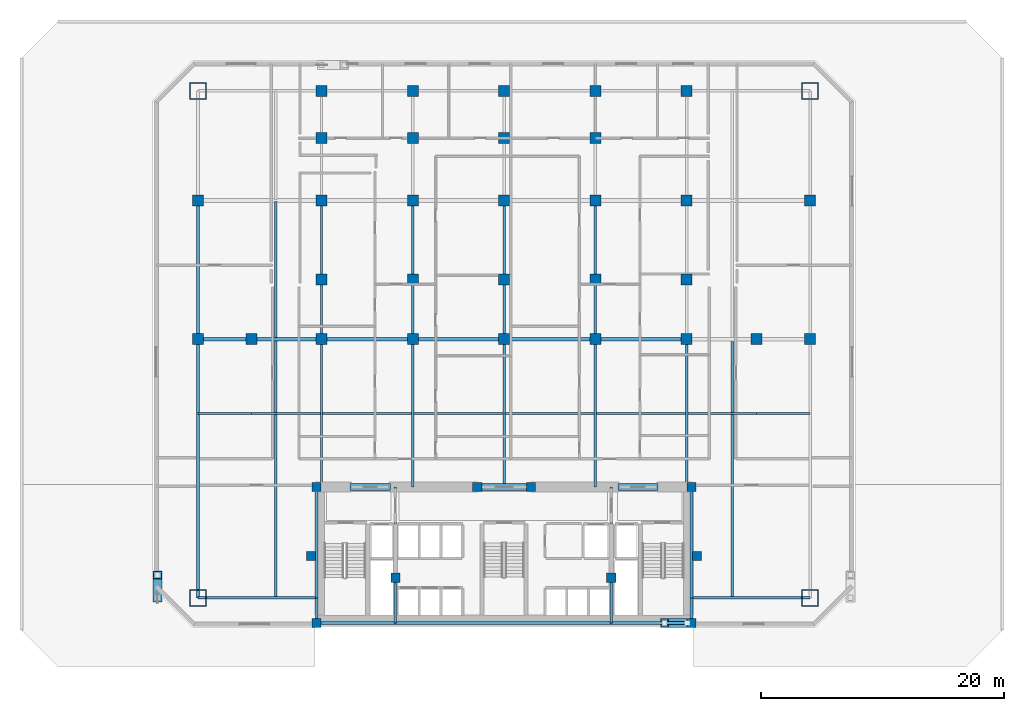
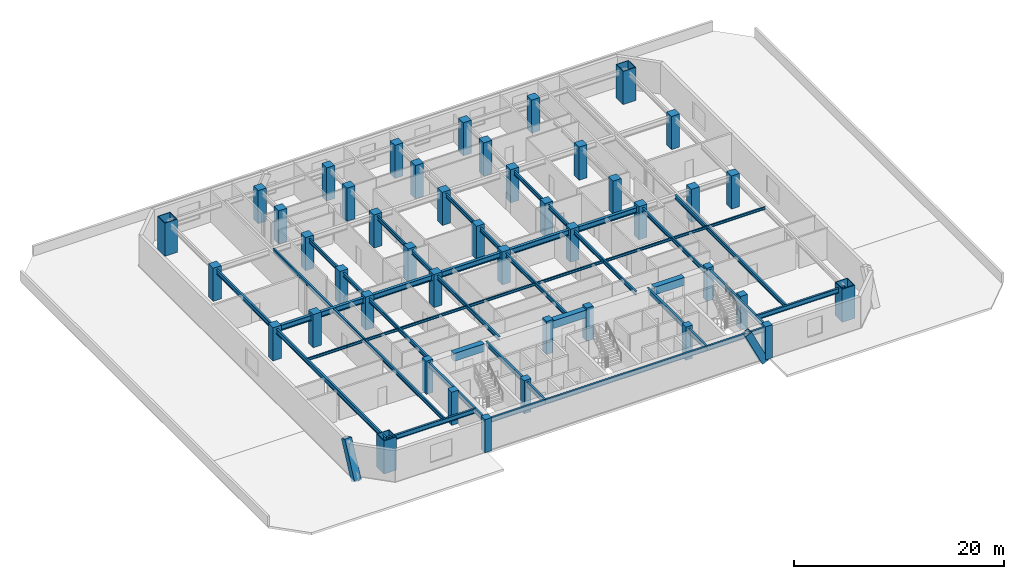
# One storey, part 1 of 11: 44 beams, 44 columns, 2 members.
"""IFC4 building model written with IfcOpenShell, lengths in metres."""

import ifcopenshell
import ifcopenshell.guid

model = None  # the IFC model being written
_history = None  # IfcOwnerHistory: only IFC2X3 demands one
_inside = {}  # id of a spatial element -> (the spatial element, [elements in it])
_under = {}  # id of a project, library or spatial element -> (it, [spatial elements below it])
_declared = {}  # id of a project -> (the project, [libraries it declares])
_typed = {}  # id of a type object -> (the type object, [elements of that type])
_made_of = {}  # id of a material, layer set ... -> (it, [elements and type objects made of it])


def new_model(schema):
    """Start an empty IFC model of exactly this schema.

    Asked for "IFC4X3", IfcOpenShell would pick the latest addendum, in which some entities
    have other attributes; the version numbers below select the first issue.
    IFC2X3 requires an IfcOwnerHistory on every rooted entity: one is made here for all.
    """
    global model, _history
    if schema == "IFC4X3":
        model = ifcopenshell.file(schema_version=(4, 3, 0, 0))
    else:
        model = ifcopenshell.file(schema=schema)
    _inside.clear()
    _under.clear()
    _declared.clear()
    _typed.clear()
    _made_of.clear()
    _history = None
    if model.schema == "IFC2X3":
        org = make("IfcOrganization", Name="unknown")
        user = make(
            "IfcPersonAndOrganization",
            ThePerson=make("IfcPerson", FamilyName="unknown"),
            TheOrganization=org,
        )
        app = make(
            "IfcApplication",
            ApplicationDeveloper=org,
            Version="unknown",
            ApplicationFullName="unknown",
            ApplicationIdentifier="unknown",
        )
        _history = make(
            "IfcOwnerHistory",
            OwningUser=user,
            OwningApplication=app,
            ChangeAction="ADDED",
            CreationDate=0,
        )
    return model


def make(cls, **values):
    """One entity of the class cls with the attributes given. An attribute that is None is left unset."""
    return model.create_entity(
        cls, **{name: value for name, value in values.items() if value is not None}
    )


def rooted(cls, **values):
    """An entity with a GlobalId (a new one), such as an element, a storey or a relation."""
    return make(cls, GlobalId=ifcopenshell.guid.new(), OwnerHistory=_history, **values)


def si_unit(unit_type, name, prefix=None):
    """IfcSIUnit, for example si_unit("LENGTHUNIT", "METRE", prefix="MILLI")."""
    return make("IfcSIUnit", UnitType=unit_type, Prefix=prefix, Name=name)


def assignment(units):
    """IfcUnitAssignment: the units of a project."""
    return None if units is None else make("IfcUnitAssignment", Units=units)


def point(xyz):
    """IfcCartesianPoint."""
    return None if xyz is None else make("IfcCartesianPoint", Coordinates=xyz)


def direction(xyz):
    """IfcDirection."""
    return None if xyz is None else make("IfcDirection", DirectionRatios=xyz)


def frame(location, z_axis=None, x_axis=None):
    """IfcAxis2Placement3D, a coordinate frame: its origin and axes. An axis left out is left unset."""
    return make(
        "IfcAxis2Placement3D",
        Location=point(location),
        Axis=direction(z_axis),
        RefDirection=direction(x_axis),
    )


def frame_2d(location, x_axis=None):
    """IfcAxis2Placement2D, a coordinate frame in the plane: its origin and x axis."""
    return make(
        "IfcAxis2Placement2D", Location=point(location), RefDirection=direction(x_axis)
    )


def origin():
    """The frame at (0, 0, 0) with its axes left unset."""
    return frame((0.0, 0.0, 0.0))


def origin_2d():
    """The frame at (0, 0) in the plane with its x axis left unset."""
    return frame_2d((0.0, 0.0))


def place(relative_to, where):
    """IfcLocalPlacement: puts the frame where relative to a parent placement (None: the world)."""
    return make(
        "IfcLocalPlacement", PlacementRelTo=relative_to, RelativePlacement=where
    )


def context(
    kind, dimensions, precision=None, world=None, true_north=None, identifier=None
):
    """IfcGeometricRepresentationContext, for example the 3D "Model" context."""
    return make(
        "IfcGeometricRepresentationContext",
        ContextIdentifier=identifier,
        ContextType=kind,
        CoordinateSpaceDimension=dimensions,
        Precision=precision,
        WorldCoordinateSystem=world,
        TrueNorth=true_north,
    )


def subcontext(parent, identifier, kind, view, scale=None):
    """IfcGeometricRepresentationSubContext, for example "Body" below "Model"."""
    return make(
        "IfcGeometricRepresentationSubContext",
        ContextIdentifier=identifier,
        ContextType=kind,
        ParentContext=parent,
        TargetScale=scale,
        TargetView=view,
    )


def project(units=None, contexts=None):
    """IfcProject with its units and contexts."""
    return rooted(
        "IfcProject",
        Name="project",
        RepresentationContexts=contexts,
        UnitsInContext=assignment(units),
    )


def spatial(cls, under=None, at=None, **own):
    """A site, building, storey or space (cls), placed at a placement, below another one or the project."""
    s = rooted(cls, ObjectPlacement=at, **own)
    if under is not None:
        _under.setdefault(under.id(), (under, []))[1].append(s)
    return s


def profile(cls, at=None, kind="AREA", **sizes):
    """A parametric profile (cls). Its sizes go by their IFC names, for example OverallWidth=200.0."""
    return make(cls, ProfileType=kind, Position=at, **sizes)


def rectangle(**sizes):
    """IfcRectangleProfileDef."""
    return profile("IfcRectangleProfileDef", **sizes)


def hollow_rectangle(**sizes):
    """IfcRectangleHollowProfileDef."""
    return profile("IfcRectangleHollowProfileDef", **sizes)


def i_section(**sizes):
    """IfcIShapeProfileDef."""
    return profile("IfcIShapeProfileDef", **sizes)


def extrude(swept, where, along, depth):
    """IfcExtrudedAreaSolid: the profile swept, set in the frame where, extruded along a direction by depth."""
    return make(
        "IfcExtrudedAreaSolid",
        SweptArea=swept,
        Position=where,
        ExtrudedDirection=direction(along),
        Depth=depth,
    )


def shape(context_of_items, identifier, shape_type, items):
    """IfcShapeRepresentation: the items that make up one representation, for example the "Body"."""
    return make(
        "IfcShapeRepresentation",
        ContextOfItems=context_of_items,
        RepresentationIdentifier=identifier,
        RepresentationType=shape_type,
        Items=items,
    )


def material(Name=None, Category=None):
    """IfcMaterial."""
    return make("IfcMaterial", Name=Name, Category=Category)


def material_profile(
    of_material, cross_section, Name=None, Category=None, Priority=None
):
    """IfcMaterialProfile: a cross section and its material."""
    return make(
        "IfcMaterialProfile",
        Name=Name,
        Material=of_material,
        Profile=cross_section,
        Priority=Priority,
        Category=Category,
    )


def profile_set(profiles, Name=None, composite=None):
    """IfcMaterialProfileSet."""
    return make(
        "IfcMaterialProfileSet",
        Name=Name,
        MaterialProfiles=profiles,
        CompositeProfile=composite,
    )


def made_of(thing, what):
    """Note that an element or type object is made of a material, layer set ...; save() writes the relation."""
    if what is not None:
        _made_of.setdefault(what.id(), (what, []))[1].append(thing)
    return thing


def type_object(cls, material=None, **own):
    """A type object (cls), such as IfcWallType, which elements share."""
    return made_of(rooted(cls, **own), material)


def element(
    cls,
    number,
    at=None,
    inside=None,
    cuts=None,
    type_object=None,
    material=None,
    context=None,
    identifier="Body",
    shape_type=None,
    held_by="IfcProductDefinitionShape",
    body=None,
    shapes=None,
    **own,
):
    """One element of the class cls, such as IfcWall. Its Tag is "e" and its number.

    at: its placement. inside: the storey or other place that contains it. cuts: it is an
    opening in that element (IfcRelVoidsElement). A single representation is given by context,
    identifier, shape_type and body (its items); several are given by shapes. held_by: the class
    of the entity that holds the representations. save() writes the other relations.
    """
    e = rooted(cls, Tag="e%d" % number, ObjectPlacement=at, **own)
    if body is not None:
        shapes = [shape(context, identifier, shape_type, body)]
    if shapes is not None:
        e.Representation = make(held_by, Representations=shapes)
    if inside is not None:
        _inside.setdefault(inside.id(), (inside, []))[1].append(e)
    if cuts is not None:
        rooted(
            "IfcRelVoidsElement", RelatingBuildingElement=cuts, RelatedOpeningElement=e
        )
    if type_object is not None:
        _typed.setdefault(type_object.id(), (type_object, []))[1].append(e)
    return made_of(e, material)


def aggregate(whole, parts):
    """IfcRelAggregates: a whole, such as a stair, and the parts it consists of."""
    return rooted("IfcRelAggregates", RelatingObject=whole, RelatedObjects=parts)


def save(model, path):
    """Write the relations noted so far, then the file.

    IfcRelAggregates (storeys below a building ...), IfcRelContainedInSpatialStructure (elements
    in a storey), IfcRelDefinesByType, IfcRelAssociatesMaterial and IfcRelDeclares: one each for
    every whole, place, type object, material and project.
    """
    for whole, parts in _under.values():
        aggregate(whole, parts)
    for where, things in _inside.values():
        rooted(
            "IfcRelContainedInSpatialStructure",
            RelatedElements=things,
            RelatingStructure=where,
        )
    for kind, things in _typed.values():
        rooted("IfcRelDefinesByType", RelatedObjects=things, RelatingType=kind)
    for what, things in _made_of.values():
        rooted("IfcRelAssociatesMaterial", RelatedObjects=things, RelatingMaterial=what)
    for by, libraries in _declared.values():
        rooted("IfcRelDeclares", RelatingContext=by, RelatedDefinitions=libraries)
    model.write(path)


model = new_model("IFC4")

# Units and contexts
model_context = context("Model", 3, precision=1e-05, world=origin(), true_north=direction((0.0, 1.0)))
body_context = subcontext(model_context, "Body", "Model", "MODEL_VIEW")
ifc_project = project(units=[si_unit("LENGTHUNIT", "METRE"), si_unit("AREAUNIT", "SQUARE_METRE"), si_unit("VOLUMEUNIT", "CUBIC_METRE"), si_unit("PLANEANGLEUNIT", "RADIAN"), si_unit("MASSUNIT", "GRAM", prefix="KILO")], contexts=[model_context])

# Site, building, storey
site_placement = place(None, origin())
site = spatial("IfcSite", under=ifc_project, at=site_placement, CompositionType="ELEMENT")
building_placement = place(site_placement, origin())
building = spatial("IfcBuilding", under=site, at=building_placement, Name="Ventersveld Concourse Tower", CompositionType="ELEMENT")
storey_placement = place(building_placement, frame((0.0, 0.0, 29.800048828125)))
storey = spatial("IfcBuildingStorey", under=building, at=storey_placement, Name="L06", CompositionType="ELEMENT", Elevation=29.800048828125)

# Columns
ifc_material_1 = material(Name="Concrete C50/60", Category="concrete")
ifc_material_profile_1 = material_profile(ifc_material_1, rectangle(XDim=0.75, YDim=0.75, at=origin_2d()), Name="RC 750x750")
ifc_profile_set_1 = profile_set([ifc_material_profile_1], Name="Concrete C50/60")
column_type_1 = type_object("IfcColumnType", Name="COL-RC750", PredefinedType="COLUMN", material=ifc_profile_set_1)
for number, where, z_axis, x_axis, name in (
    (1, (13.35009765625, 0.280029296875, 0.0), (0.0, 0.0, 1.0), (1.0, 0.0, 0.0), "L06 Core Spine Column CC-SW"),
    (2, (44.14990234375, 0.280029296875, 0.0), (0.0, 0.0, 1.0), (1.0, 0.0, 0.0), "L06 Core Spine Column CC-SE"),
    (3, (13.35009765625, 11.449951171875, 0.0), (0.0, 0.0, 1.0), (1.0, 0.0, 0.0), "L06 Core Spine Column CC-NW"),
    (4, (44.14990234375, 11.449951171875, 0.0), (0.0, 0.0, 1.0), (1.0, 0.0, 0.0), "L06 Core Spine Column CC-NE"),
    (5, (19.820068359375, 4.0, 0.0), (0.0, 0.0, 1.0), (1.0, 0.0, 0.0), "L06 Core Spine Column CM-1"),
    (6, (37.550048828125, 4.0, 0.0), (0.0, 0.0, 1.0), (1.0, 0.0, 0.0), "L06 Core Spine Column CM-2"),
    (7, (26.550048828125, 11.449951171875, 0.0), (0.0, 0.0, 1.0), (1.0, 0.0, 0.0), "L06 Core Spine Column CM-3"),
    (8, (30.949951171875, 11.449951171875, 0.0), (0.0, 0.0, 1.0), (1.0, 0.0, 0.0), "L06 Core Spine Column CM-4"),
):
    element("IfcColumn", number, at=place(storey_placement, frame(where, z_axis=z_axis, x_axis=x_axis)), inside=storey, type_object=column_type_1, Name=name, PredefinedType="COLUMN", context=body_context, shape_type="SweptSolid", body=[
        extrude(rectangle(XDim=0.75, YDim=0.75, at=origin_2d()), origin(), (0.0, 0.0, 1.0), 3.849853515625),
    ])
ifc_material_2 = material(Name="Concrete C60/75", Category="concrete")
ifc_material_profile_2 = material_profile(ifc_material_2, rectangle(XDim=0.89990234375, YDim=0.89990234375, at=origin_2d()), Name="RC 900x900")
ifc_profile_set_2 = profile_set([ifc_material_profile_2], Name="Concrete C60/75")
column_type_2 = type_object("IfcColumnType", Name="COL-RC900", PredefinedType="COLUMN", material=ifc_profile_set_2)
for number, where, z_axis, x_axis, name in (
    (9, (3.60009765625, 23.60009765625, 0.0), (0.0, 0.0, 1.0), (1.0, 0.0, 0.0), "L06 Interior Gravity Column X=3.60 Y=23.60"),
    (10, (8.0, 23.60009765625, 0.0), (0.0, 0.0, 1.0), (1.0, 0.0, 0.0), "L06 Interior Gravity Column X=8.00 Y=23.60"),
    (11, (13.75, 23.60009765625, 0.0), (0.0, 0.0, 1.0), (1.0, 0.0, 0.0), "L06 Interior Gravity Column X=13.75 Y=23.60"),
    (12, (21.25, 23.60009765625, 0.0), (0.0, 0.0, 1.0), (1.0, 0.0, 0.0), "L06 Interior Gravity Column X=21.25 Y=23.60"),
    (13, (28.75, 23.60009765625, 0.0), (0.0, 0.0, 1.0), (1.0, 0.0, 0.0), "L06 Interior Gravity Column X=28.75 Y=23.60"),
    (14, (36.25, 23.60009765625, 0.0), (0.0, 0.0, 1.0), (1.0, 0.0, 0.0), "L06 Interior Gravity Column X=36.25 Y=23.60"),
    (15, (43.75, 23.60009765625, 0.0), (0.0, 0.0, 1.0), (1.0, 0.0, 0.0), "L06 Interior Gravity Column X=43.75 Y=23.60"),
    (16, (49.5, 23.60009765625, 0.0), (0.0, 0.0, 1.0), (1.0, 0.0, 0.0), "L06 Interior Gravity Column X=49.50 Y=23.60"),
    (17, (53.89990234375, 23.60009765625, 0.0), (0.0, 0.0, 1.0), (1.0, 0.0, 0.0), "L06 Interior Gravity Column X=53.90 Y=23.60"),
    (18, (13.75, 28.5, 0.0), (0.0, 0.0, 1.0), (1.0, 0.0, 0.0), "L06 Upper-North Gravity Column X=13.75 Y=28.50"),
    (19, (21.25, 28.5, 0.0), (0.0, 0.0, 1.0), (1.0, 0.0, 0.0), "L06 Upper-North Gravity Column X=21.25 Y=28.50"),
    (20, (28.75, 28.5, 0.0), (0.0, 0.0, 1.0), (1.0, 0.0, 0.0), "L06 Upper-North Gravity Column X=28.75 Y=28.50"),
    (21, (36.25, 28.5, 0.0), (0.0, 0.0, 1.0), (1.0, 0.0, 0.0), "L06 Upper-North Gravity Column X=36.25 Y=28.50"),
    (22, (43.75, 28.5, 0.0), (0.0, 0.0, 1.0), (1.0, 0.0, 0.0), "L06 Upper-North Gravity Column X=43.75 Y=28.50"),
    (23, (3.60009765625, 35.0, 0.0), (0.0, 0.0, 1.0), (1.0, 0.0, 0.0), "L06 Flank Column X=3.60 Y=35.00"),
    (24, (53.89990234375, 35.0, 0.0), (0.0, 0.0, 1.0), (1.0, 0.0, 0.0), "L06 Flank Column X=53.90 Y=35.00"),
    (25, (13.75, 44.0, 0.0), (0.0, 0.0, 1.0), (1.0, 0.0, 0.0), "L06 North Perimeter Column X=13.75 Y=44.00"),
    (26, (21.25, 44.0, 0.0), (0.0, 0.0, 1.0), (1.0, 0.0, 0.0), "L06 North Perimeter Column X=21.25 Y=44.00"),
    (27, (28.75, 44.0, 0.0), (0.0, 0.0, 1.0), (1.0, 0.0, 0.0), "L06 North Perimeter Column X=28.75 Y=44.00"),
    (28, (36.25, 44.0, 0.0), (0.0, 0.0, 1.0), (1.0, 0.0, 0.0), "L06 North Perimeter Column X=36.25 Y=44.00"),
    (29, (43.75, 44.0, 0.0), (0.0, 0.0, 1.0), (1.0, 0.0, 0.0), "L06 North Perimeter Column X=43.75 Y=44.00"),
    (30, (13.75, 40.1201171875, 0.0), (0.0, 0.0, 1.0), (1.0, 0.0, 0.0), "L06 North Brace Node Column X=13.75 Y=40.12"),
    (31, (21.25, 40.1201171875, 0.0), (0.0, 0.0, 1.0), (1.0, 0.0, 0.0), "L06 North Brace Node Column X=21.25 Y=40.12"),
    (32, (28.75, 40.1201171875, 0.0), (0.0, 0.0, 1.0), (1.0, 0.0, 0.0), "L06 North Brace Node Column X=28.75 Y=40.12"),
    (33, (36.25, 40.1201171875, 0.0), (0.0, 0.0, 1.0), (1.0, 0.0, 0.0), "L06 North Brace Node Column X=36.25 Y=40.12"),
    (34, (13.75, 35.0, 0.0), (0.0, 0.0, 1.0), (1.0, 0.0, 0.0), "L06 Mid-North Column X=13.75 Y=35.00"),
    (35, (21.25, 35.0, 0.0), (0.0, 0.0, 1.0), (1.0, 0.0, 0.0), "L06 Mid-North Column X=21.25 Y=35.00"),
    (36, (28.75, 35.0, 0.0), (0.0, 0.0, 1.0), (1.0, 0.0, 0.0), "L06 Mid-North Column X=28.75 Y=35.00"),
    (37, (36.25, 35.0, 0.0), (0.0, 0.0, 1.0), (1.0, 0.0, 0.0), "L06 Mid-North Column X=36.25 Y=35.00"),
    (38, (43.75, 35.0, 0.0), (0.0, 0.0, 1.0), (1.0, 0.0, 0.0), "L06 Mid-North Column X=43.75 Y=35.00"),
):
    element("IfcColumn", number, at=place(storey_placement, frame(where, z_axis=z_axis, x_axis=x_axis)), inside=storey, type_object=column_type_2, Name=name, PredefinedType="COLUMN", context=body_context, shape_type="SweptSolid", body=[
        extrude(rectangle(XDim=0.89990234375, YDim=0.89990234375, at=origin_2d()), origin(), (0.0, 0.0, 1.0), 3.849853515625),
    ])
ifc_material_3 = material(Name="Structural steel S460ML", Category="steel")
ifc_material_profile_3 = material_profile(ifc_material_3, hollow_rectangle(XDim=1.39990234375, YDim=1.39990234375, WallThickness=0.080078125, at=origin_2d()), Name="BOX 1400x1400x80")
ifc_profile_set_3 = profile_set([ifc_material_profile_3], Name="Structural steel S460ML")
column_type_3 = type_object("IfcColumnType", Name="MC-1400", PredefinedType="USERDEFINED", material=ifc_profile_set_3)
for number, where, z_axis, x_axis, name in (
    (39, (3.60009765625, 2.35009765625, 0.0), (0.0, 0.0, 1.0), (1.0, 0.0, 0.0), "L06 Corner Mega-Column MC-SW"),
    (40, (53.89990234375, 2.35009765625, 0.0), (0.0, 0.0, 1.0), (1.0, 0.0, 0.0), "L06 Corner Mega-Column MC-SE"),
    (41, (53.89990234375, 44.0, 0.0), (0.0, 0.0, 1.0), (1.0, 0.0, 0.0), "L06 Corner Mega-Column MC-NE"),
    (42, (3.60009765625, 44.0, 0.0), (0.0, 0.0, 1.0), (1.0, 0.0, 0.0), "L06 Corner Mega-Column MC-NW"),
):
    element("IfcColumn", number, at=place(storey_placement, frame(where, z_axis=z_axis, x_axis=x_axis)), inside=storey, type_object=column_type_3, Name=name, ObjectType="MEGA_COLUMN", PredefinedType="USERDEFINED", context=body_context, shape_type="SweptSolid", body=[
        extrude(hollow_rectangle(XDim=1.39990234375, YDim=1.39990234375, WallThickness=0.080078125, at=origin_2d()), origin(), (0.0, 0.0, 1.0), 3.849853515625),
    ])
ifc_material_profile_4 = material_profile(ifc_material_1, rectangle(XDim=0.75, YDim=0.75, at=origin_2d()), Name="RC 750x750")
ifc_profile_set_4 = profile_set([ifc_material_profile_4], Name="Concrete C50/60")
column_type_4 = type_object("IfcColumnType", Name="PIL-RC750", PredefinedType="PILASTER", material=ifc_profile_set_4)
for number, where, z_axis, x_axis, name in (
    (43, (12.89990234375, 5.800048828125, 0.0), (0.0, 0.0, 1.0), (1.0, 0.0, 0.0), "L06 Core Engaged Pilaster PIL-W"),
    (44, (44.60009765625, 5.800048828125, 0.0), (0.0, 0.0, 1.0), (1.0, 0.0, 0.0), "L06 Core Engaged Pilaster PIL-E"),
):
    element("IfcColumn", number, at=place(storey_placement, frame(where, z_axis=z_axis, x_axis=x_axis)), inside=storey, type_object=column_type_4, Name=name, PredefinedType="PILASTER", context=body_context, shape_type="SweptSolid", body=[
        extrude(rectangle(XDim=0.75, YDim=0.75, at=origin_2d()), origin(), (0.0, 0.0, 1.0), 3.849853515625),
    ])

# Beams
ifc_material_4 = material(Name="Structural steel S355J2", Category="steel")
ifc_material_profile_5 = material_profile(ifc_material_4, i_section(OverallWidth=0.19140625, OverallDepth=0.4599609375, WebThickness=0.010009765625, FlangeThickness=0.01611328125, FilletRadius=0.01025390625, at=origin_2d()), Name="UB 457x191x82")
ifc_profile_set_5 = profile_set([ifc_material_profile_5], Name="Structural steel S355J2")
beam_type_1 = type_object("IfcBeamType", Name="BM-UB457H", PredefinedType="BEAM", material=ifc_profile_set_5)
beam_1_placement = place(storey_placement, frame((10.0, 2.35009765625, 3.369873046875), z_axis=(0.0, 1.0, 0.0), x_axis=(-1.0, 0.0, 0.0)))
element("IfcBeam", 45, at=beam_1_placement, inside=storey, type_object=beam_type_1, Name="L06 N-S Composite Floor Beam South X=10.00", PredefinedType="BEAM", context=body_context, shape_type="SweptSolid", body=[
    extrude(i_section(OverallWidth=0.19140625, OverallDepth=0.4599609375, WebThickness=0.010009765625, FlangeThickness=0.01611328125, FilletRadius=0.01025390625, at=origin_2d()), origin(), (0.0, 0.0, 1.0), 21.15478515625),
])
beam_2_placement = place(storey_placement, frame((10.0, 23.695068359375, 3.369873046875), z_axis=(0.0, 1.0, 0.0), x_axis=(-1.0, 0.0, 0.0)))
element("IfcBeam", 46, at=beam_2_placement, inside=storey, type_object=beam_type_1, Name="L06 N-S Composite Floor Beam Mid X=10.00", PredefinedType="BEAM", context=body_context, shape_type="SweptSolid", body=[
    extrude(i_section(OverallWidth=0.19140625, OverallDepth=0.4599609375, WebThickness=0.010009765625, FlangeThickness=0.01611328125, FilletRadius=0.01025390625, at=origin_2d()), origin(), (0.0, 0.0, 1.0), 11.2099609375),
])
beam_3_placement = place(storey_placement, frame((13.75, 11.449951171875, 3.369873046875), z_axis=(0.0, 1.0, 0.0), x_axis=(-1.0, 0.0, 0.0)))
element("IfcBeam", 47, at=beam_3_placement, inside=storey, type_object=beam_type_1, Name="L06 N-S Composite Floor Beam South X=13.75", PredefinedType="BEAM", context=body_context, shape_type="SweptSolid", body=[
    extrude(i_section(OverallWidth=0.19140625, OverallDepth=0.4599609375, WebThickness=0.010009765625, FlangeThickness=0.01611328125, FilletRadius=0.01025390625, at=origin_2d()), origin(), (0.0, 0.0, 1.0), 12.150146484375),
])
beam_4_placement = place(storey_placement, frame((13.75, 23.60009765625, 3.369873046875), z_axis=(0.0, 1.0, 0.0), x_axis=(-1.0, 0.0, 0.0)))
element("IfcBeam", 48, at=beam_4_placement, inside=storey, type_object=beam_type_1, Name="L06 N-S Composite Floor Beam Mid X=13.75", PredefinedType="BEAM", context=body_context, shape_type="SweptSolid", body=[
    extrude(i_section(OverallWidth=0.19140625, OverallDepth=0.4599609375, WebThickness=0.010009765625, FlangeThickness=0.01611328125, FilletRadius=0.01025390625, at=origin_2d()), origin(), (0.0, 0.0, 1.0), 11.39990234375),
])
beam_5_placement = place(storey_placement, frame((21.25, 11.449951171875, 3.369873046875), z_axis=(0.0, 1.0, 0.0), x_axis=(-1.0, 0.0, 0.0)))
element("IfcBeam", 49, at=beam_5_placement, inside=storey, type_object=beam_type_1, Name="L06 N-S Composite Floor Beam South X=21.25", PredefinedType="BEAM", context=body_context, shape_type="SweptSolid", body=[
    extrude(i_section(OverallWidth=0.19140625, OverallDepth=0.4599609375, WebThickness=0.010009765625, FlangeThickness=0.01611328125, FilletRadius=0.01025390625, at=origin_2d()), origin(), (0.0, 0.0, 1.0), 12.150146484375),
])
beam_6_placement = place(storey_placement, frame((21.25, 23.60009765625, 3.369873046875), z_axis=(0.0, 1.0, 0.0), x_axis=(-1.0, 0.0, 0.0)))
element("IfcBeam", 50, at=beam_6_placement, inside=storey, type_object=beam_type_1, Name="L06 N-S Composite Floor Beam Mid X=21.25", PredefinedType="BEAM", context=body_context, shape_type="SweptSolid", body=[
    extrude(i_section(OverallWidth=0.19140625, OverallDepth=0.4599609375, WebThickness=0.010009765625, FlangeThickness=0.01611328125, FilletRadius=0.01025390625, at=origin_2d()), origin(), (0.0, 0.0, 1.0), 11.39990234375),
])
beam_7_placement = place(storey_placement, frame((28.75, 11.449951171875, 3.369873046875), z_axis=(0.0, 1.0, 0.0), x_axis=(-1.0, 0.0, 0.0)))
element("IfcBeam", 51, at=beam_7_placement, inside=storey, type_object=beam_type_1, Name="L06 N-S Composite Floor Beam South X=28.75", PredefinedType="BEAM", context=body_context, shape_type="SweptSolid", body=[
    extrude(i_section(OverallWidth=0.19140625, OverallDepth=0.4599609375, WebThickness=0.010009765625, FlangeThickness=0.01611328125, FilletRadius=0.01025390625, at=origin_2d()), origin(), (0.0, 0.0, 1.0), 12.150146484375),
])
beam_8_placement = place(storey_placement, frame((28.75, 23.60009765625, 3.369873046875), z_axis=(0.0, 1.0, 0.0), x_axis=(-1.0, 0.0, 0.0)))
element("IfcBeam", 52, at=beam_8_placement, inside=storey, type_object=beam_type_1, Name="L06 N-S Composite Floor Beam Mid X=28.75", PredefinedType="BEAM", context=body_context, shape_type="SweptSolid", body=[
    extrude(i_section(OverallWidth=0.19140625, OverallDepth=0.4599609375, WebThickness=0.010009765625, FlangeThickness=0.01611328125, FilletRadius=0.01025390625, at=origin_2d()), origin(), (0.0, 0.0, 1.0), 11.39990234375),
])
beam_9_placement = place(storey_placement, frame((36.25, 11.449951171875, 3.369873046875), z_axis=(0.0, 1.0, 0.0), x_axis=(-1.0, 0.0, 0.0)))
element("IfcBeam", 53, at=beam_9_placement, inside=storey, type_object=beam_type_1, Name="L06 N-S Composite Floor Beam South X=36.25", PredefinedType="BEAM", context=body_context, shape_type="SweptSolid", body=[
    extrude(i_section(OverallWidth=0.19140625, OverallDepth=0.4599609375, WebThickness=0.010009765625, FlangeThickness=0.01611328125, FilletRadius=0.01025390625, at=origin_2d()), origin(), (0.0, 0.0, 1.0), 12.150146484375),
])
beam_10_placement = place(storey_placement, frame((36.25, 23.60009765625, 3.369873046875), z_axis=(0.0, 1.0, 0.0), x_axis=(-1.0, 0.0, 0.0)))
element("IfcBeam", 54, at=beam_10_placement, inside=storey, type_object=beam_type_1, Name="L06 N-S Composite Floor Beam Mid X=36.25", PredefinedType="BEAM", context=body_context, shape_type="SweptSolid", body=[
    extrude(i_section(OverallWidth=0.19140625, OverallDepth=0.4599609375, WebThickness=0.010009765625, FlangeThickness=0.01611328125, FilletRadius=0.01025390625, at=origin_2d()), origin(), (0.0, 0.0, 1.0), 11.39990234375),
])
beam_11_placement = place(storey_placement, frame((43.75, 11.449951171875, 3.369873046875), z_axis=(0.0, 1.0, 0.0), x_axis=(-1.0, 0.0, 0.0)))
element("IfcBeam", 55, at=beam_11_placement, inside=storey, type_object=beam_type_1, Name="L06 N-S Composite Floor Beam South X=43.75", PredefinedType="BEAM", context=body_context, shape_type="SweptSolid", body=[
    extrude(i_section(OverallWidth=0.19140625, OverallDepth=0.4599609375, WebThickness=0.010009765625, FlangeThickness=0.01611328125, FilletRadius=0.01025390625, at=origin_2d()), origin(), (0.0, 0.0, 1.0), 12.150146484375),
])
beam_12_placement = place(storey_placement, frame((47.5, 2.35009765625, 3.369873046875), z_axis=(0.0, 1.0, 0.0), x_axis=(-1.0, 0.0, 0.0)))
element("IfcBeam", 56, at=beam_12_placement, inside=storey, type_object=beam_type_1, Name="L06 N-S Composite Floor Beam South X=47.50", PredefinedType="BEAM", context=body_context, shape_type="SweptSolid", body=[
    extrude(i_section(OverallWidth=0.19140625, OverallDepth=0.4599609375, WebThickness=0.010009765625, FlangeThickness=0.01611328125, FilletRadius=0.01025390625, at=origin_2d()), origin(), (0.0, 0.0, 1.0), 21.15478515625),
])
ifc_material_profile_6 = material_profile(ifc_material_2, rectangle(XDim=0.60009765625, YDim=0.89990234375, at=origin_2d()), Name="RC 600x900")
ifc_profile_set_6 = profile_set([ifc_material_profile_6], Name="Concrete C60/75")
beam_type_2 = type_object("IfcBeamType", Name="CB-RC600x900L", PredefinedType="LINTEL", material=ifc_profile_set_6)
beam_13_placement = place(storey_placement, frame((16.10009765625, 11.449951171875, 3.14990234375), z_axis=(1.0, 0.0, 0.0), x_axis=(0.0, 1.0, 0.0)))
element("IfcBeam", 57, at=beam_13_placement, inside=storey, type_object=beam_type_2, Name="L06 Core Coupling Lintel Beam 1", PredefinedType="LINTEL", context=body_context, shape_type="SweptSolid", body=[
    extrude(rectangle(XDim=0.60009765625, YDim=0.89990234375, at=origin_2d()), origin(), (0.0, 0.0, 1.0), 3.2998046875),
])
beam_14_placement = place(storey_placement, frame((26.5, 11.449951171875, 3.14990234375), z_axis=(1.0, 0.0, 0.0), x_axis=(0.0, 1.0, 0.0)))
element("IfcBeam", 58, at=beam_14_placement, inside=storey, type_object=beam_type_2, Name="L06 Core Coupling Lintel Beam 2", PredefinedType="LINTEL", context=body_context, shape_type="SweptSolid", body=[
    extrude(rectangle(XDim=0.60009765625, YDim=0.89990234375, at=origin_2d()), origin(), (0.0, 0.0, 1.0), 4.5),
])
beam_15_placement = place(storey_placement, frame((38.10009765625, 11.449951171875, 3.14990234375), z_axis=(1.0, 0.0, 0.0), x_axis=(0.0, 1.0, 0.0)))
element("IfcBeam", 59, at=beam_15_placement, inside=storey, type_object=beam_type_2, Name="L06 Core Coupling Lintel Beam 3", PredefinedType="LINTEL", context=body_context, shape_type="SweptSolid", body=[
    extrude(rectangle(XDim=0.60009765625, YDim=0.89990234375, at=origin_2d()), origin(), (0.0, 0.0, 1.0), 3.2998046875),
])
ifc_material_profile_7 = material_profile(ifc_material_4, i_section(OverallWidth=0.2119140625, OverallDepth=0.54443359375, WebThickness=0.0126953125, FlangeThickness=0.021240234375, FilletRadius=0.0126953125, at=origin_2d()), Name="UB 533x210x122")
ifc_profile_set_7 = profile_set([ifc_material_profile_7], Name="Structural steel S355J2")
beam_type_3 = type_object("IfcBeamType", Name="GRD-UB533H", PredefinedType="T_BEAM", material=ifc_profile_set_7)
beam_16_placement = place(storey_placement, frame((13.35009765625, 0.280029296875, 3.32763671875), z_axis=(0.0, 1.0, 0.0), x_axis=(-1.0, 0.0, 0.0)))
element("IfcBeam", 60, at=beam_16_placement, inside=storey, type_object=beam_type_3, Name="L06 Core West Tie Beam S", PredefinedType="T_BEAM", context=body_context, shape_type="SweptSolid", body=[
    extrude(i_section(OverallWidth=0.2119140625, OverallDepth=0.54443359375, WebThickness=0.0126953125, FlangeThickness=0.021240234375, FilletRadius=0.0126953125, at=origin_2d()), origin(), (0.0, 0.0, 1.0), 2.070068359375),
])
beam_17_placement = place(storey_placement, frame((13.35009765625, 2.35009765625, 3.32763671875), z_axis=(0.0, 1.0, 0.0), x_axis=(-1.0, 0.0, 0.0)))
element("IfcBeam", 61, at=beam_17_placement, inside=storey, type_object=beam_type_3, Name="L06 Core West Tie Beam N", PredefinedType="T_BEAM", context=body_context, shape_type="SweptSolid", body=[
    extrude(i_section(OverallWidth=0.2119140625, OverallDepth=0.54443359375, WebThickness=0.0126953125, FlangeThickness=0.021240234375, FilletRadius=0.0126953125, at=origin_2d()), origin(), (0.0, 0.0, 1.0), 9.099853515625),
])
beam_18_placement = place(storey_placement, frame((44.14990234375, 0.280029296875, 3.32763671875), z_axis=(0.0, 1.0, 0.0), x_axis=(-1.0, 0.0, 0.0)))
element("IfcBeam", 62, at=beam_18_placement, inside=storey, type_object=beam_type_3, Name="L06 Core East Tie Beam S", PredefinedType="T_BEAM", context=body_context, shape_type="SweptSolid", body=[
    extrude(i_section(OverallWidth=0.2119140625, OverallDepth=0.54443359375, WebThickness=0.0126953125, FlangeThickness=0.021240234375, FilletRadius=0.0126953125, at=origin_2d()), origin(), (0.0, 0.0, 1.0), 2.070068359375),
])
beam_19_placement = place(storey_placement, frame((44.14990234375, 2.35009765625, 3.32763671875), z_axis=(0.0, 1.0, 0.0), x_axis=(-1.0, 0.0, 0.0)))
element("IfcBeam", 63, at=beam_19_placement, inside=storey, type_object=beam_type_3, Name="L06 Core East Tie Beam N", PredefinedType="T_BEAM", context=body_context, shape_type="SweptSolid", body=[
    extrude(i_section(OverallWidth=0.2119140625, OverallDepth=0.54443359375, WebThickness=0.0126953125, FlangeThickness=0.021240234375, FilletRadius=0.0126953125, at=origin_2d()), origin(), (0.0, 0.0, 1.0), 9.099853515625),
])
beam_20_placement = place(storey_placement, frame((13.35009765625, 0.280029296875, 3.32763671875), z_axis=(1.0, 0.0, 0.0), x_axis=(0.0, 1.0, 0.0)))
element("IfcBeam", 64, at=beam_20_placement, inside=storey, type_object=beam_type_3, Name="L06 Core South Tie Beam W", PredefinedType="T_BEAM", context=body_context, shape_type="SweptSolid", body=[
    extrude(i_section(OverallWidth=0.2119140625, OverallDepth=0.54443359375, WebThickness=0.0126953125, FlangeThickness=0.021240234375, FilletRadius=0.0126953125, at=origin_2d()), origin(), (0.0, 0.0, 1.0), 6.469970703125),
])
beam_21_placement = place(storey_placement, frame((19.820068359375, 0.280029296875, 3.32763671875), z_axis=(1.0, 0.0, 0.0), x_axis=(0.0, 1.0, 0.0)))
element("IfcBeam", 65, at=beam_21_placement, inside=storey, type_object=beam_type_3, Name="L06 Core South Tie Beam C", PredefinedType="T_BEAM", context=body_context, shape_type="SweptSolid", body=[
    extrude(i_section(OverallWidth=0.2119140625, OverallDepth=0.54443359375, WebThickness=0.0126953125, FlangeThickness=0.021240234375, FilletRadius=0.0126953125, at=origin_2d()), origin(), (0.0, 0.0, 1.0), 17.72998046875),
])
beam_22_placement = place(storey_placement, frame((37.550048828125, 0.280029296875, 3.32763671875), z_axis=(1.0, 0.0, 0.0), x_axis=(0.0, 1.0, 0.0)))
element("IfcBeam", 66, at=beam_22_placement, inside=storey, type_object=beam_type_3, Name="L06 Core South Tie Beam E", PredefinedType="T_BEAM", context=body_context, shape_type="SweptSolid", body=[
    extrude(i_section(OverallWidth=0.2119140625, OverallDepth=0.54443359375, WebThickness=0.0126953125, FlangeThickness=0.021240234375, FilletRadius=0.0126953125, at=origin_2d()), origin(), (0.0, 0.0, 1.0), 6.599853515625),
])
beam_23_placement = place(storey_placement, frame((19.820068359375, 0.280029296875, 3.32763671875), z_axis=(0.0, 1.0, 0.0), x_axis=(-1.0, 0.0, 0.0)))
element("IfcBeam", 67, at=beam_23_placement, inside=storey, type_object=beam_type_3, Name="L06 Core Spine N-S Tie Beam W1", PredefinedType="T_BEAM", context=body_context, shape_type="SweptSolid", body=[
    extrude(i_section(OverallWidth=0.2119140625, OverallDepth=0.54443359375, WebThickness=0.0126953125, FlangeThickness=0.021240234375, FilletRadius=0.0126953125, at=origin_2d()), origin(), (0.0, 0.0, 1.0), 3.719970703125),
])
beam_24_placement = place(storey_placement, frame((19.820068359375, 4.0, 3.32763671875), z_axis=(0.0, 1.0, 0.0), x_axis=(-1.0, 0.0, 0.0)))
element("IfcBeam", 68, at=beam_24_placement, inside=storey, type_object=beam_type_3, Name="L06 Core Spine N-S Tie Beam W2", PredefinedType="T_BEAM", context=body_context, shape_type="SweptSolid", body=[
    extrude(i_section(OverallWidth=0.2119140625, OverallDepth=0.54443359375, WebThickness=0.0126953125, FlangeThickness=0.021240234375, FilletRadius=0.0126953125, at=origin_2d()), origin(), (0.0, 0.0, 1.0), 7.449951171875),
])
beam_25_placement = place(storey_placement, frame((37.550048828125, 0.280029296875, 3.32763671875), z_axis=(0.0, 1.0, 0.0), x_axis=(-1.0, 0.0, 0.0)))
element("IfcBeam", 69, at=beam_25_placement, inside=storey, type_object=beam_type_3, Name="L06 Core Spine N-S Tie Beam E1", PredefinedType="T_BEAM", context=body_context, shape_type="SweptSolid", body=[
    extrude(i_section(OverallWidth=0.2119140625, OverallDepth=0.54443359375, WebThickness=0.0126953125, FlangeThickness=0.021240234375, FilletRadius=0.0126953125, at=origin_2d()), origin(), (0.0, 0.0, 1.0), 3.719970703125),
])
beam_26_placement = place(storey_placement, frame((37.550048828125, 4.0, 3.32763671875), z_axis=(0.0, 1.0, 0.0), x_axis=(-1.0, 0.0, 0.0)))
element("IfcBeam", 70, at=beam_26_placement, inside=storey, type_object=beam_type_3, Name="L06 Core Spine N-S Tie Beam E2", PredefinedType="T_BEAM", context=body_context, shape_type="SweptSolid", body=[
    extrude(i_section(OverallWidth=0.2119140625, OverallDepth=0.54443359375, WebThickness=0.0126953125, FlangeThickness=0.021240234375, FilletRadius=0.0126953125, at=origin_2d()), origin(), (0.0, 0.0, 1.0), 7.449951171875),
])
ifc_material_profile_8 = material_profile(ifc_material_4, i_section(OverallWidth=0.311279296875, OverallDepth=0.6357421875, WebThickness=0.018310546875, FlangeThickness=0.031494140625, FilletRadius=0.0166015625, at=origin_2d()), Name="UB 610x305x238")
ifc_profile_set_8 = profile_set([ifc_material_profile_8], Name="Structural steel S355J2")
beam_type_4 = type_object("IfcBeamType", Name="GRD-UB610H", PredefinedType="USERDEFINED", material=ifc_profile_set_8)
beam_27_placement = place(storey_placement, frame((3.60009765625, 23.60009765625, 3.281982421875), z_axis=(1.0, 0.0, 0.0), x_axis=(0.0, 1.0, 0.0)))
element("IfcBeam", 71, at=beam_27_placement, inside=storey, type_object=beam_type_4, Name="L06 Primary E-W Grid Girder Y=23.60 #1", ObjectType="GIRDER", PredefinedType="USERDEFINED", context=body_context, shape_type="SweptSolid", body=[
    extrude(i_section(OverallWidth=0.311279296875, OverallDepth=0.6357421875, WebThickness=0.018310546875, FlangeThickness=0.031494140625, FilletRadius=0.0166015625, at=origin_2d()), origin(), (0.0, 0.0, 1.0), 4.39990234375),
])
beam_28_placement = place(storey_placement, frame((8.0, 23.60009765625, 3.281982421875), z_axis=(1.0, 0.0, 0.0), x_axis=(0.0, 1.0, 0.0)))
element("IfcBeam", 72, at=beam_28_placement, inside=storey, type_object=beam_type_4, Name="L06 Primary E-W Grid Girder Y=23.60 #2", ObjectType="GIRDER", PredefinedType="USERDEFINED", context=body_context, shape_type="SweptSolid", body=[
    extrude(i_section(OverallWidth=0.311279296875, OverallDepth=0.6357421875, WebThickness=0.018310546875, FlangeThickness=0.031494140625, FilletRadius=0.0166015625, at=origin_2d()), origin(), (0.0, 0.0, 1.0), 5.75),
])
for number, where, z_axis, x_axis, name in (
    (73, (13.75, 23.60009765625, 3.281982421875), (1.0, 0.0, 0.0), (0.0, 1.0, 0.0), "L06 Primary E-W Grid Girder Y=23.60 #3"),
    (74, (21.25, 23.60009765625, 3.281982421875), (1.0, 0.0, 0.0), (0.0, 1.0, 0.0), "L06 Primary E-W Grid Girder Y=23.60 #4"),
    (75, (28.75, 23.60009765625, 3.281982421875), (1.0, 0.0, 0.0), (0.0, 1.0, 0.0), "L06 Primary E-W Grid Girder Y=23.60 #5"),
    (76, (36.25, 23.60009765625, 3.281982421875), (1.0, 0.0, 0.0), (0.0, 1.0, 0.0), "L06 Primary E-W Grid Girder Y=23.60 #6"),
):
    element("IfcBeam", number, at=place(storey_placement, frame(where, z_axis=z_axis, x_axis=x_axis)), inside=storey, type_object=beam_type_4, Name=name, ObjectType="GIRDER", PredefinedType="USERDEFINED", context=body_context, shape_type="SweptSolid", body=[
        extrude(i_section(OverallWidth=0.311279296875, OverallDepth=0.6357421875, WebThickness=0.018310546875, FlangeThickness=0.031494140625, FilletRadius=0.0166015625, at=origin_2d()), origin(), (0.0, 0.0, 1.0), 7.5),
    ])
ifc_material_profile_9 = material_profile(ifc_material_4, i_section(OverallWidth=0.14990234375, OverallDepth=0.300048828125, WebThickness=0.007080078125, FlangeThickness=0.0107421875, FilletRadius=0.014892578125, at=origin_2d()), Name="IPE 300")
ifc_profile_set_9 = profile_set([ifc_material_profile_9], Name="Structural steel S355J2")
beam_type_5 = type_object("IfcBeamType", Name="JST-IPE300", PredefinedType="JOIST", material=ifc_profile_set_9)
beam_29_placement = place(storey_placement, frame((3.60009765625, 17.5, 3.449951171875), z_axis=(1.0, 0.0, 0.0), x_axis=(0.0, 1.0, 0.0)))
element("IfcBeam", 77, at=beam_29_placement, inside=storey, type_object=beam_type_5, Name="L06 Secondary E-W Floor Joist Y=17.50 #1", PredefinedType="JOIST", context=body_context, shape_type="SweptSolid", body=[
    extrude(i_section(OverallWidth=0.14990234375, OverallDepth=0.300048828125, WebThickness=0.007080078125, FlangeThickness=0.0107421875, FilletRadius=0.014892578125, at=origin_2d()), origin(), (0.0, 0.0, 1.0), 4.39990234375),
])
beam_30_placement = place(storey_placement, frame((8.0, 17.5, 3.449951171875), z_axis=(1.0, 0.0, 0.0), x_axis=(0.0, 1.0, 0.0)))
element("IfcBeam", 78, at=beam_30_placement, inside=storey, type_object=beam_type_5, Name="L06 Secondary E-W Floor Joist Y=17.50 #2", PredefinedType="JOIST", context=body_context, shape_type="SweptSolid", body=[
    extrude(i_section(OverallWidth=0.14990234375, OverallDepth=0.300048828125, WebThickness=0.007080078125, FlangeThickness=0.0107421875, FilletRadius=0.014892578125, at=origin_2d()), origin(), (0.0, 0.0, 1.0), 5.657958984375),
])
for number, where, z_axis, x_axis, name in (
    (79, (13.842041015625, 17.5, 3.449951171875), (1.0, 0.0, 0.0), (0.0, 1.0, 0.0), "L06 Secondary E-W Floor Joist Y=17.50 #3"),
    (80, (21.342041015625, 17.5, 3.449951171875), (1.0, 0.0, 0.0), (0.0, 1.0, 0.0), "L06 Secondary E-W Floor Joist Y=17.50 #4"),
    (81, (28.842041015625, 17.5, 3.449951171875), (1.0, 0.0, 0.0), (0.0, 1.0, 0.0), "L06 Secondary E-W Floor Joist Y=17.50 #5"),
    (82, (36.342041015625, 17.5, 3.449951171875), (1.0, 0.0, 0.0), (0.0, 1.0, 0.0), "L06 Secondary E-W Floor Joist Y=17.50 #6"),
):
    element("IfcBeam", number, at=place(storey_placement, frame(where, z_axis=z_axis, x_axis=x_axis)), inside=storey, type_object=beam_type_5, Name=name, PredefinedType="JOIST", context=body_context, shape_type="SweptSolid", body=[
        extrude(i_section(OverallWidth=0.14990234375, OverallDepth=0.300048828125, WebThickness=0.007080078125, FlangeThickness=0.0107421875, FilletRadius=0.014892578125, at=origin_2d()), origin(), (0.0, 0.0, 1.0), 7.31591796875),
    ])
beam_31_placement = place(storey_placement, frame((43.842041015625, 17.5, 3.449951171875), z_axis=(1.0, 0.0, 0.0), x_axis=(0.0, 1.0, 0.0)))
element("IfcBeam", 83, at=beam_31_placement, inside=storey, type_object=beam_type_5, Name="L06 Secondary E-W Floor Joist Y=17.50 #7", PredefinedType="JOIST", context=body_context, shape_type="SweptSolid", body=[
    extrude(i_section(OverallWidth=0.14990234375, OverallDepth=0.300048828125, WebThickness=0.007080078125, FlangeThickness=0.0107421875, FilletRadius=0.014892578125, at=origin_2d()), origin(), (0.0, 0.0, 1.0), 5.657958984375),
])
beam_32_placement = place(storey_placement, frame((49.5, 17.5, 3.449951171875), z_axis=(1.0, 0.0, 0.0), x_axis=(0.0, 1.0, 0.0)))
element("IfcBeam", 84, at=beam_32_placement, inside=storey, type_object=beam_type_5, Name="L06 Secondary E-W Floor Joist Y=17.50 #8", PredefinedType="JOIST", context=body_context, shape_type="SweptSolid", body=[
    extrude(i_section(OverallWidth=0.14990234375, OverallDepth=0.300048828125, WebThickness=0.007080078125, FlangeThickness=0.0107421875, FilletRadius=0.014892578125, at=origin_2d()), origin(), (0.0, 0.0, 1.0), 4.39990234375),
])

# Members
ifc_material_5 = material(Name="Structural steel S355ML", Category="steel")
ifc_material_profile_10 = material_profile(ifc_material_5, hollow_rectangle(XDim=0.75, YDim=0.75, WallThickness=0.044921875, at=origin_2d()), Name="BOX 750x750x45")
ifc_profile_set_10 = profile_set([ifc_material_profile_10], Name="Structural steel S355ML")
member_type = type_object("IfcMemberType", Name="MB-750x750", PredefinedType="BRACE", material=ifc_profile_set_10)
for number, where, z_axis, x_axis, name in (
    (85, (43.800048828125, 0.280029296875, -0.25), (-0.437861906815, 0.0, 0.899042240699), (0.0, -1.0, 0.0), "L06 Exterior Mega-Brace S (Module M01)"),
    (86, (0.280029296875, 2.35009765625, -0.25), (0.0, 0.437861906815, 0.899042240699), (-1.0, 0.0, 0.0), "L06 Exterior Mega-Brace W (Module M01)"),
):
    element("IfcMember", number, at=place(storey_placement, frame(where, z_axis=z_axis, x_axis=x_axis)), inside=storey, type_object=member_type, Name=name, PredefinedType="BRACE", context=body_context, shape_type="SweptSolid", body=[
        extrude(hollow_rectangle(XDim=0.75, YDim=0.75, WallThickness=0.044921875, at=origin_2d()), origin(), (0.0, 0.0, 1.0), 4.2822265625),
    ])

# Beams
ifc_material_profile_11 = material_profile(ifc_material_4, i_section(OverallWidth=0.2119140625, OverallDepth=0.54443359375, WebThickness=0.0126953125, FlangeThickness=0.021240234375, FilletRadius=0.0126953125, at=origin_2d()), Name="UB 533x210x122")
ifc_profile_set_11 = profile_set([ifc_material_profile_11], Name="Structural steel S355J2")
beam_type_6 = type_object("IfcBeamType", Name="SPD-UB533", PredefinedType="SPANDREL", material=ifc_profile_set_11)
for number, where, z_axis, x_axis, name in (
    (87, (3.60009765625, 2.35009765625, 3.32763671875), (1.0, 0.0, 0.0), (0.0, 1.0, 0.0), "L06 SW Spandrel Beam"),
    (88, (44.14990234375, 2.35009765625, 3.32763671875), (1.0, 0.0, 0.0), (0.0, 1.0, 0.0), "L06 SE Spandrel Beam"),
):
    element("IfcBeam", number, at=place(storey_placement, frame(where, z_axis=z_axis, x_axis=x_axis)), inside=storey, type_object=beam_type_6, Name=name, PredefinedType="SPANDREL", context=body_context, shape_type="SweptSolid", body=[
        extrude(i_section(OverallWidth=0.2119140625, OverallDepth=0.54443359375, WebThickness=0.0126953125, FlangeThickness=0.021240234375, FilletRadius=0.0126953125, at=origin_2d()), origin(), (0.0, 0.0, 1.0), 9.75),
    ])
beam_33_placement = place(storey_placement, frame((3.60009765625, 2.35009765625, 3.32763671875), z_axis=(0.0, 1.0, 0.0), x_axis=(-1.0, 0.0, 0.0)))
element("IfcBeam", 89, at=beam_33_placement, inside=storey, type_object=beam_type_6, Name="L06 West Spandrel Beam S", PredefinedType="SPANDREL", context=body_context, shape_type="SweptSolid", body=[
    extrude(i_section(OverallWidth=0.2119140625, OverallDepth=0.54443359375, WebThickness=0.0126953125, FlangeThickness=0.021240234375, FilletRadius=0.0126953125, at=origin_2d()), origin(), (0.0, 0.0, 1.0), 21.25),
])
beam_34_placement = place(storey_placement, frame((3.60009765625, 23.60009765625, 3.32763671875), z_axis=(0.0, 1.0, 0.0), x_axis=(-1.0, 0.0, 0.0)))
element("IfcBeam", 90, at=beam_34_placement, inside=storey, type_object=beam_type_6, Name="L06 West Spandrel Beam M", PredefinedType="SPANDREL", context=body_context, shape_type="SweptSolid", body=[
    extrude(i_section(OverallWidth=0.2119140625, OverallDepth=0.54443359375, WebThickness=0.0126953125, FlangeThickness=0.021240234375, FilletRadius=0.0126953125, at=origin_2d()), origin(), (0.0, 0.0, 1.0), 11.39990234375),
])

save(model, "model.ifc")
